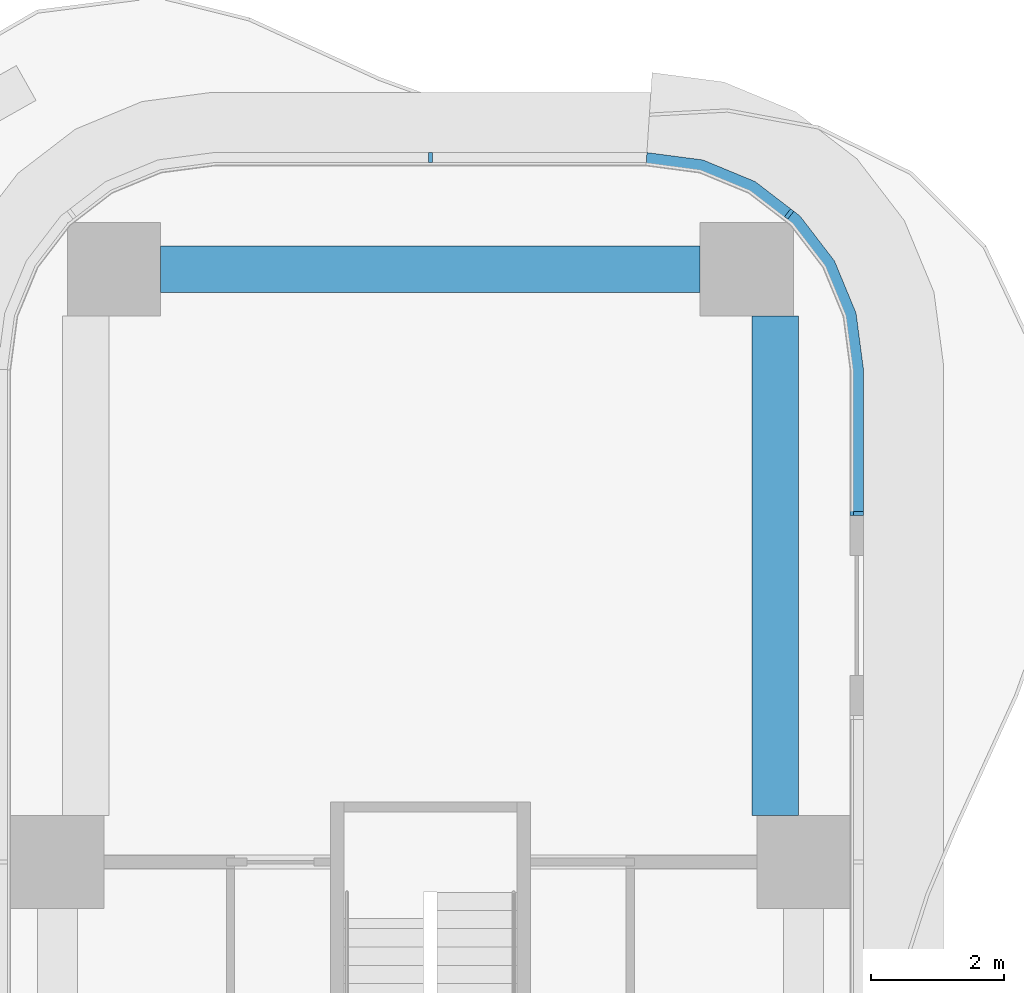
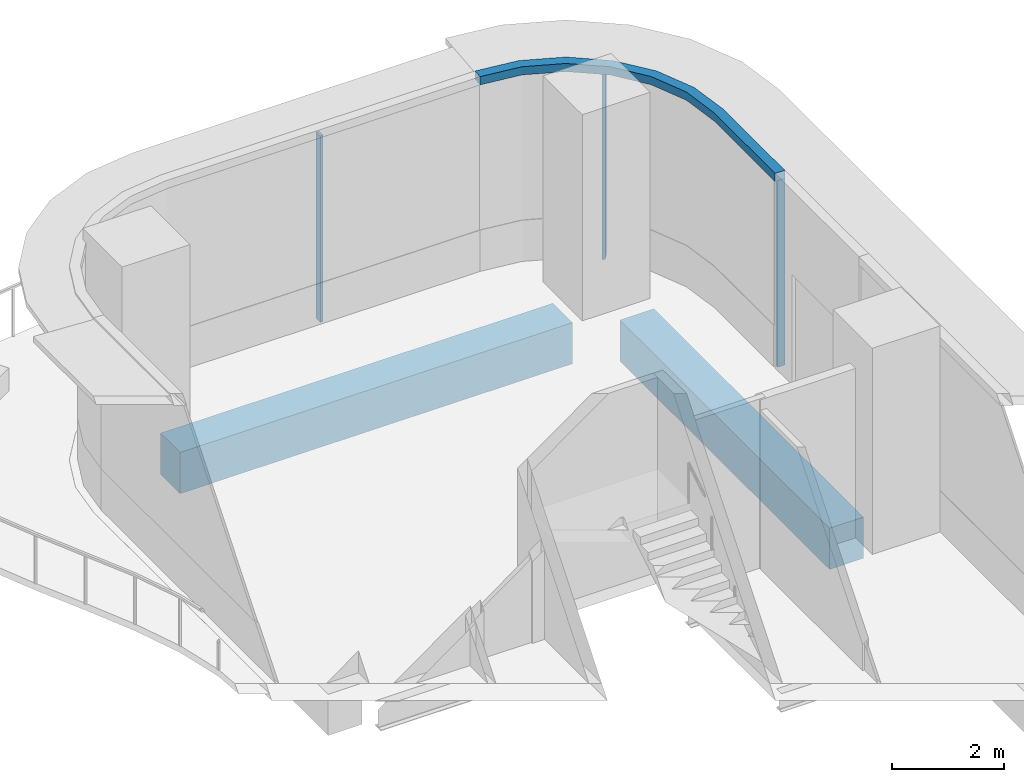
# One storey, part 12 of 22: 4 members, 2 beams, 2 elements without a shape of their own.
"""IFC4 building model written with IfcOpenShell, lengths in metres."""

from ifc_helpers import new_model, si_unit, direction, frame, origin, origin_2d, place, context, subcontext, project, spatial, polyline, rectangle, outline, extrude, source, transform, mapped, material, layer, layer_set, material_profile, profile_set, type_object, element, aggregate, save


model = new_model("IFC4")

# Units and contexts
model_context = context("Model", 3, precision=1e-05, world=origin(), true_north=direction((0.0, 1.0)))
body_context = subcontext(model_context, "Body", "Model", "MODEL_VIEW")
ifc_project = project(units=[si_unit("LENGTHUNIT", "METRE"), si_unit("AREAUNIT", "SQUARE_METRE"), si_unit("VOLUMEUNIT", "CUBIC_METRE"), si_unit("PLANEANGLEUNIT", "RADIAN"), si_unit("MASSUNIT", "GRAM", prefix="KILO")], contexts=[model_context])

# Site, building, storey
site_placement = place(None, origin())
site = spatial("IfcSite", under=ifc_project, at=site_placement, CompositionType="ELEMENT")
building_placement = place(site_placement, origin())
building = spatial("IfcBuilding", under=site, at=building_placement, Name="Trellis Farm Tower", CompositionType="ELEMENT")
storey_placement = place(building_placement, frame((0.0, 0.0, 47.5)))
storey = spatial("IfcBuildingStorey", under=building, at=storey_placement, Name="L09", CompositionType="ELEMENT", Elevation=47.5)

# Beams
ifc_material_1 = material(Name="Concrete C60/75", Category="concrete")
ifc_material_profile_1 = material_profile(ifc_material_1, rectangle(XDim=0.699951171875, YDim=0.89990234375, at=origin_2d()), Name="RC spandrel beam 700x900 C60/75")
ifc_profile_set_1 = profile_set([ifc_material_profile_1], Name="Concrete C60/75")
beam_type = type_object("IfcBeamType", Name="RC spandrel beam 700x900 C60/75", PredefinedType="SPANDREL", material=ifc_profile_set_1)
shared_shape_1 = source(origin(), body_context, "Body", "SweptSolid", [
    extrude(rectangle(XDim=0.699951171875, YDim=0.89990234375, at=origin_2d()), origin(), (0.0, 0.0, 1.0), 8.10009765625),
])
beam_1_placement = place(storey_placement, frame((-4.050048828125, 27.5, -0.699951171875), z_axis=(1.0, 0.0, 0.0), x_axis=(0.0, 1.0, 0.0)))
element("IfcBeam", 1, at=beam_1_placement, inside=storey, type_object=beam_type, Name="Girder", PredefinedType="SPANDREL", context=body_context, shape_type="MappedRepresentation", body=[
    mapped(shared_shape_1, transform((0.0, 0.0, 0.0))),
])
shared_shape_2 = source(origin(), body_context, "Body", "SweptSolid", [
    extrude(rectangle(XDim=0.699951171875, YDim=0.89990234375, at=origin_2d()), origin(), (0.0, 0.0, 1.0), 7.5),
])
beam_2_placement = place(storey_placement, frame((5.175048828125, 19.300048828125, -0.699951171875), z_axis=(0.0, 1.0, 0.0), x_axis=(-1.0, 0.0, 0.0)))
element("IfcBeam", 2, at=beam_2_placement, inside=storey, type_object=beam_type, Name="Girder", PredefinedType="SPANDREL", context=body_context, shape_type="MappedRepresentation", body=[
    mapped(shared_shape_2, transform((0.0, 0.0, 0.0))),
])

# Curtain wall, members
ifc_material_2 = material(Name="Aluminium and glass curtain wall", Category="aluminium")
ifc_layer_1 = layer(ifc_material_2, 0.18994140625)
ifc_layer_set_1 = layer_set([ifc_layer_1], Name="RIBBON CURTAIN WALL CW1")
curtain_wall_type = type_object("IfcCurtainWallType", Name="RIBBON CURTAIN WALL CW1", PredefinedType="NOTDEFINED", material=ifc_layer_set_1)
placement = place(storey_placement, origin())
curtain_wall_1 = element("IfcCurtainWall", 3, at=placement, inside=storey, type_object=curtain_wall_type, Name="CW1 009", PredefinedType="NOTDEFINED")
ifc_material_3 = material(Name="Aluminium extrusion 6063-T6", Category="aluminium")
ifc_material_profile_2 = material_profile(ifc_material_3, rectangle(XDim=0.06005859375, YDim=0.14990234375, at=origin_2d()), Name="MULLION 60x150")
ifc_profile_set_2 = profile_set([ifc_material_profile_2], Name="Aluminium extrusion 6063-T6")
member_type_1 = type_object("IfcMemberType", Name="CW1 MULLION 60x150", PredefinedType="MULLION", material=ifc_profile_set_2)
shared_shape_3 = source(origin(), body_context, "Body", "SweptSolid", [
    extrude(rectangle(XDim=0.06005859375, YDim=0.14990234375, at=origin_2d()), origin(), (0.0, 0.0, 1.0), 4.070068359375),
])
member_1_placement = place(storey_placement, frame((6.425048828125, 23.830078125, 0.0), z_axis=(0.0, 0.0, 1.0), x_axis=(0.0, 1.0, 0.0)))
member_1 = element("IfcMember", 4, at=member_1_placement, type_object=member_type_1, Name="MU1 009-01", PredefinedType="MULLION", context=body_context, shape_type="MappedRepresentation", body=[
    mapped(shared_shape_3, transform((0.0, 0.0, 0.0))),
])
member_2_placement = place(storey_placement, frame((5.385498046875, 28.328369140625, 0.0), z_axis=(0.0, 0.0, 1.0), x_axis=(-0.793353340291, 0.608761429009, 0.0)))
member_2 = element("IfcMember", 5, at=member_2_placement, type_object=member_type_1, Name="MU1 009-02", PredefinedType="MULLION", context=body_context, shape_type="MappedRepresentation", body=[
    mapped(shared_shape_3, transform((0.0, 0.0, 0.0))),
])

# Curtain wall, member
curtain_wall_2 = element("IfcCurtainWall", 6, at=placement, inside=storey, type_object=curtain_wall_type, Name="CW1 010", PredefinedType="NOTDEFINED")
member_3_placement = place(storey_placement, frame((0.0, 29.175048828125, 0.0), z_axis=(0.0, 0.0, 1.0), x_axis=(-1.0, 0.0, 0.0)))
member_3 = element("IfcMember", 7, at=member_3_placement, type_object=member_type_1, Name="MU1 010-01", PredefinedType="MULLION", context=body_context, shape_type="MappedRepresentation", body=[
    mapped(shared_shape_3, transform((0.0, 0.0, 0.0))),
])
aggregate(curtain_wall_2, [member_3])

# Member
ifc_layer_2 = layer(ifc_material_3, 0.199951171875)
ifc_layer_set_2 = layer_set([ifc_layer_2], Name="Aluminium extrusion 6063-T6")
member_type_2 = type_object("IfcMemberType", Name="CW1 TRANSOM 200x180", PredefinedType="USERDEFINED", material=ifc_layer_set_2)
shared_shape_4 = source(origin(), body_context, "Body", "SweptSolid", [
    extrude(outline(polyline([(6.5, 23.800048828125), (6.5, 26.0), (6.38916015625, 26.841064453125), (6.064697265625, 27.625), (5.548095703125, 28.298095703125), (4.875, 28.814697265625), (4.091064453125, 29.13916015625), (3.25, 29.25), (3.23681640625, 29.050048828125), (4.0390625, 28.9443359375), (4.774169921875, 28.639892578125), (5.405517578125, 28.155517578125), (5.889892578125, 27.524169921875), (6.1943359375, 26.7890625), (6.300048828125, 25.98681640625), (6.300048828125, 23.800048828125), (6.5, 23.800048828125)])), origin(), (0.0, 0.0, 1.0), 0.179931640625),
])
member_4_placement = place(storey_placement, frame((0.0, 0.0, 4.070068359375)))
member_4 = element("IfcMember", 8, at=member_4_placement, type_object=member_type_2, Name="TR1 009", ObjectType="TRANSOM", PredefinedType="USERDEFINED", context=body_context, shape_type="MappedRepresentation", body=[
    mapped(shared_shape_4, transform((0.0, 0.0, 0.0))),
])

aggregate(curtain_wall_1, [member_1, member_2, member_4])

save(model, "model.ifc")
